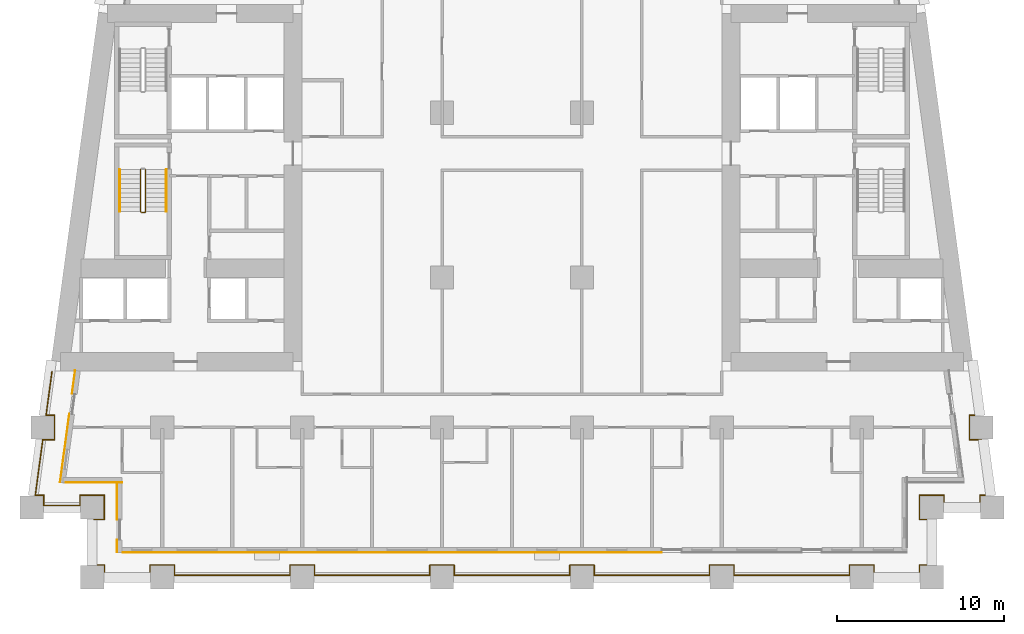
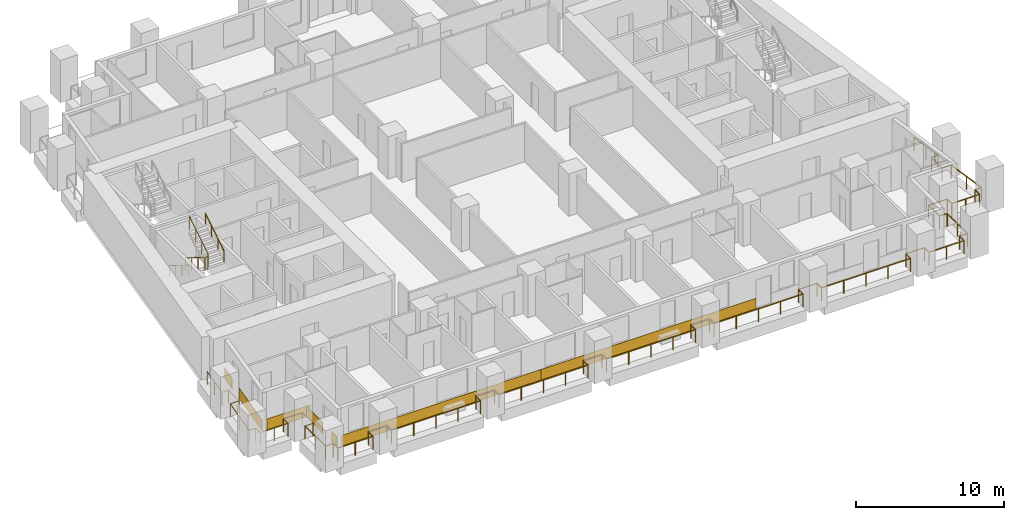
# One storey, part 8 of 12: 7 coverings, 5 railings.
"""IFC4 building model written with IfcOpenShell, lengths in metres."""

import ifcopenshell
import ifcopenshell.guid

model = None  # the IFC model being written
_history = None  # IfcOwnerHistory: only IFC2X3 demands one
_inside = {}  # id of a spatial element -> (the spatial element, [elements in it])
_under = {}  # id of a project, library or spatial element -> (it, [spatial elements below it])
_declared = {}  # id of a project -> (the project, [libraries it declares])
_typed = {}  # id of a type object -> (the type object, [elements of that type])
_made_of = {}  # id of a material, layer set ... -> (it, [elements and type objects made of it])


def new_model(schema):
    """Start an empty IFC model of exactly this schema.

    Asked for "IFC4X3", IfcOpenShell would pick the latest addendum, in which some entities
    have other attributes; the version numbers below select the first issue.
    IFC2X3 requires an IfcOwnerHistory on every rooted entity: one is made here for all.
    """
    global model, _history
    if schema == "IFC4X3":
        model = ifcopenshell.file(schema_version=(4, 3, 0, 0))
    else:
        model = ifcopenshell.file(schema=schema)
    _inside.clear()
    _under.clear()
    _declared.clear()
    _typed.clear()
    _made_of.clear()
    _history = None
    if model.schema == "IFC2X3":
        org = make("IfcOrganization", Name="unknown")
        user = make(
            "IfcPersonAndOrganization",
            ThePerson=make("IfcPerson", FamilyName="unknown"),
            TheOrganization=org,
        )
        app = make(
            "IfcApplication",
            ApplicationDeveloper=org,
            Version="unknown",
            ApplicationFullName="unknown",
            ApplicationIdentifier="unknown",
        )
        _history = make(
            "IfcOwnerHistory",
            OwningUser=user,
            OwningApplication=app,
            ChangeAction="ADDED",
            CreationDate=0,
        )
    return model


def make(cls, **values):
    """One entity of the class cls with the attributes given. An attribute that is None is left unset."""
    return model.create_entity(
        cls, **{name: value for name, value in values.items() if value is not None}
    )


def rooted(cls, **values):
    """An entity with a GlobalId (a new one), such as an element, a storey or a relation."""
    return make(cls, GlobalId=ifcopenshell.guid.new(), OwnerHistory=_history, **values)


def si_unit(unit_type, name, prefix=None):
    """IfcSIUnit, for example si_unit("LENGTHUNIT", "METRE", prefix="MILLI")."""
    return make("IfcSIUnit", UnitType=unit_type, Prefix=prefix, Name=name)


def assignment(units):
    """IfcUnitAssignment: the units of a project."""
    return None if units is None else make("IfcUnitAssignment", Units=units)


def point(xyz):
    """IfcCartesianPoint."""
    return None if xyz is None else make("IfcCartesianPoint", Coordinates=xyz)


def direction(xyz):
    """IfcDirection."""
    return None if xyz is None else make("IfcDirection", DirectionRatios=xyz)


def frame(location, z_axis=None, x_axis=None):
    """IfcAxis2Placement3D, a coordinate frame: its origin and axes. An axis left out is left unset."""
    return make(
        "IfcAxis2Placement3D",
        Location=point(location),
        Axis=direction(z_axis),
        RefDirection=direction(x_axis),
    )


def frame_2d(location, x_axis=None):
    """IfcAxis2Placement2D, a coordinate frame in the plane: its origin and x axis."""
    return make(
        "IfcAxis2Placement2D", Location=point(location), RefDirection=direction(x_axis)
    )


def origin():
    """The frame at (0, 0, 0) with its axes left unset."""
    return frame((0.0, 0.0, 0.0))


def origin_2d():
    """The frame at (0, 0) in the plane with its x axis left unset."""
    return frame_2d((0.0, 0.0))


def place(relative_to, where):
    """IfcLocalPlacement: puts the frame where relative to a parent placement (None: the world)."""
    return make(
        "IfcLocalPlacement", PlacementRelTo=relative_to, RelativePlacement=where
    )


def context(
    kind, dimensions, precision=None, world=None, true_north=None, identifier=None
):
    """IfcGeometricRepresentationContext, for example the 3D "Model" context."""
    return make(
        "IfcGeometricRepresentationContext",
        ContextIdentifier=identifier,
        ContextType=kind,
        CoordinateSpaceDimension=dimensions,
        Precision=precision,
        WorldCoordinateSystem=world,
        TrueNorth=true_north,
    )


def subcontext(parent, identifier, kind, view, scale=None):
    """IfcGeometricRepresentationSubContext, for example "Body" below "Model"."""
    return make(
        "IfcGeometricRepresentationSubContext",
        ContextIdentifier=identifier,
        ContextType=kind,
        ParentContext=parent,
        TargetScale=scale,
        TargetView=view,
    )


def project(units=None, contexts=None):
    """IfcProject with its units and contexts."""
    return rooted(
        "IfcProject",
        Name="project",
        RepresentationContexts=contexts,
        UnitsInContext=assignment(units),
    )


def spatial(cls, under=None, at=None, **own):
    """A site, building, storey or space (cls), placed at a placement, below another one or the project."""
    s = rooted(cls, ObjectPlacement=at, **own)
    if under is not None:
        _under.setdefault(under.id(), (under, []))[1].append(s)
    return s


def profile(cls, at=None, kind="AREA", **sizes):
    """A parametric profile (cls). Its sizes go by their IFC names, for example OverallWidth=200.0."""
    return make(cls, ProfileType=kind, Position=at, **sizes)


def rectangle(**sizes):
    """IfcRectangleProfileDef."""
    return profile("IfcRectangleProfileDef", **sizes)


def circle(**sizes):
    """IfcCircleProfileDef."""
    return profile("IfcCircleProfileDef", **sizes)


def extrude(swept, where, along, depth):
    """IfcExtrudedAreaSolid: the profile swept, set in the frame where, extruded along a direction by depth."""
    return make(
        "IfcExtrudedAreaSolid",
        SweptArea=swept,
        Position=where,
        ExtrudedDirection=direction(along),
        Depth=depth,
    )


def shape(context_of_items, identifier, shape_type, items):
    """IfcShapeRepresentation: the items that make up one representation, for example the "Body"."""
    return make(
        "IfcShapeRepresentation",
        ContextOfItems=context_of_items,
        RepresentationIdentifier=identifier,
        RepresentationType=shape_type,
        Items=items,
    )


def material(Name=None, Category=None):
    """IfcMaterial."""
    return make("IfcMaterial", Name=Name, Category=Category)


def layer(
    of_material, thickness, ventilated=None, Name=None, Category=None, Priority=None
):
    """IfcMaterialLayer: one layer of a wall or slab, of a material (None: an air gap)."""
    return make(
        "IfcMaterialLayer",
        Material=of_material,
        LayerThickness=thickness,
        IsVentilated=ventilated,
        Name=Name,
        Category=Category,
        Priority=Priority,
    )


def layer_set(layers, Name=None):
    """IfcMaterialLayerSet."""
    return make("IfcMaterialLayerSet", MaterialLayers=layers, LayerSetName=Name)


def made_of(thing, what):
    """Note that an element or type object is made of a material, layer set ...; save() writes the relation."""
    if what is not None:
        _made_of.setdefault(what.id(), (what, []))[1].append(thing)
    return thing


def type_object(cls, material=None, **own):
    """A type object (cls), such as IfcWallType, which elements share."""
    return made_of(rooted(cls, **own), material)


def element(
    cls,
    number,
    at=None,
    inside=None,
    cuts=None,
    type_object=None,
    material=None,
    context=None,
    identifier="Body",
    shape_type=None,
    held_by="IfcProductDefinitionShape",
    body=None,
    shapes=None,
    **own,
):
    """One element of the class cls, such as IfcWall. Its Tag is "e" and its number.

    at: its placement. inside: the storey or other place that contains it. cuts: it is an
    opening in that element (IfcRelVoidsElement). A single representation is given by context,
    identifier, shape_type and body (its items); several are given by shapes. held_by: the class
    of the entity that holds the representations. save() writes the other relations.
    """
    e = rooted(cls, Tag="e%d" % number, ObjectPlacement=at, **own)
    if body is not None:
        shapes = [shape(context, identifier, shape_type, body)]
    if shapes is not None:
        e.Representation = make(held_by, Representations=shapes)
    if inside is not None:
        _inside.setdefault(inside.id(), (inside, []))[1].append(e)
    if cuts is not None:
        rooted(
            "IfcRelVoidsElement", RelatingBuildingElement=cuts, RelatedOpeningElement=e
        )
    if type_object is not None:
        _typed.setdefault(type_object.id(), (type_object, []))[1].append(e)
    return made_of(e, material)


def aggregate(whole, parts):
    """IfcRelAggregates: a whole, such as a stair, and the parts it consists of."""
    return rooted("IfcRelAggregates", RelatingObject=whole, RelatedObjects=parts)


def save(model, path):
    """Write the relations noted so far, then the file.

    IfcRelAggregates (storeys below a building ...), IfcRelContainedInSpatialStructure (elements
    in a storey), IfcRelDefinesByType, IfcRelAssociatesMaterial and IfcRelDeclares: one each for
    every whole, place, type object, material and project.
    """
    for whole, parts in _under.values():
        aggregate(whole, parts)
    for where, things in _inside.values():
        rooted(
            "IfcRelContainedInSpatialStructure",
            RelatedElements=things,
            RelatingStructure=where,
        )
    for kind, things in _typed.values():
        rooted("IfcRelDefinesByType", RelatedObjects=things, RelatingType=kind)
    for what, things in _made_of.values():
        rooted("IfcRelAssociatesMaterial", RelatedObjects=things, RelatingMaterial=what)
    for by, libraries in _declared.values():
        rooted("IfcRelDeclares", RelatingContext=by, RelatedDefinitions=libraries)
    model.write(path)


model = new_model("IFC4")

# Units and contexts
model_context = context("Model", 3, precision=1e-05, world=origin(), true_north=direction((0.0, 1.0)))
body_context = subcontext(model_context, "Body", "Model", "MODEL_VIEW")
ifc_project = project(units=[si_unit("LENGTHUNIT", "METRE"), si_unit("AREAUNIT", "SQUARE_METRE"), si_unit("VOLUMEUNIT", "CUBIC_METRE"), si_unit("PLANEANGLEUNIT", "RADIAN"), si_unit("MASSUNIT", "GRAM", prefix="KILO")], contexts=[model_context])

# Site, building, storey
site_placement = place(None, origin())
site = spatial("IfcSite", under=ifc_project, at=site_placement, CompositionType="ELEMENT")
building_placement = place(site_placement, origin())
building = spatial("IfcBuilding", under=site, at=building_placement, Name="Candeia Pilgrim Tower and Theatre", CompositionType="ELEMENT")
storey_placement = place(building_placement, frame((0.0, 0.0, 49.5)))
storey = spatial("IfcBuildingStorey", under=building, at=storey_placement, Name="L09", CompositionType="ELEMENT", Elevation=49.5)

# Railings
ifc_material_1 = material(Name="Stainless steel balustrade", Category="steel")
railing_type_1 = type_object("IfcRailingType", Name="G1 loggia guard 1100", PredefinedType="GUARDRAIL", material=ifc_material_1)
railing_1_placement = place(storey_placement, frame((88.320068359375, 101.469970703125, 0.0)))
element("IfcRailing", 1, at=railing_1_placement, inside=storey, type_object=railing_type_1, Name="Guard L09.1", PredefinedType="GUARDRAIL", context=body_context, shape_type="SweptSolid", body=[
    extrude(circle(Radius=0.02392578125, at=origin_2d()), frame((0.0, 0.0, 1.076171875), z_axis=(1.0, 0.0, 0.0), x_axis=(0.0, 1.0, 0.0)), (0.0, 0.0, 1.0), 0.60986328125),
    extrude(circle(Radius=0.02392578125, at=origin_2d()), frame((0.60986328125, 0.0, 1.076171875), z_axis=(0.0, 1.0, 0.0), x_axis=(-1.0, 0.0, 0.0)), (0.0, 0.0, 1.0), 1.4599609375),
    extrude(circle(Radius=0.02392578125, at=origin_2d()), frame((0.60986328125, 1.4599609375, 1.076171875), z_axis=(-1.0, 0.0, 0.0), x_axis=(0.0, -1.0, 0.0)), (0.0, 0.0, 1.0), 1.4599609375),
    extrude(circle(Radius=0.02392578125, at=origin_2d()), frame((-0.85009765625, 1.4599609375, 1.076171875), z_axis=(0.0, -1.0, 0.0), x_axis=(1.0, 0.0, 0.0)), (0.0, 0.0, 1.0), 0.60986328125),
    extrude(circle(Radius=0.02392578125, at=origin_2d()), frame((-0.85009765625, 0.85009765625, 1.076171875), z_axis=(-1.0, 0.0, 0.0), x_axis=(0.0, -1.0, 0.0)), (0.0, 0.0, 1.0), 2.174560546875),
    extrude(circle(Radius=0.02392578125, at=origin_2d()), frame((-3.024658203125, 0.85009765625, 1.076171875), z_axis=(0.0, 1.0, 0.0), x_axis=(-1.0, 0.0, 0.0)), (0.0, 0.0, 1.0), 0.60986328125),
    extrude(circle(Radius=0.02392578125, at=origin_2d()), frame((-3.024658203125, 1.4599609375, 1.076171875), z_axis=(-1.0, 0.0, 0.0), x_axis=(0.0, -1.0, 0.0)), (0.0, 0.0, 1.0), 0.5107421875),
    extrude(circle(Radius=0.02392578125, at=origin_2d()), frame((-3.535400390625, 1.4599609375, 1.076171875), z_axis=(0.133435273035, 0.991057530071, 0.0), x_axis=(-0.991057530071, 0.133435273035, 0.0)), (0.0, 0.0, 1.0), 3.3701171875),
    extrude(circle(Radius=0.02392578125, at=origin_2d()), frame((-3.085693359375, 4.800048828125, 1.076171875), z_axis=(1.0, 0.0, 0.0), x_axis=(0.0, 1.0, 0.0)), (0.0, 0.0, 1.0), 0.707275390625),
    extrude(circle(Radius=0.02392578125, at=origin_2d()), frame((-2.37841796875, 4.800048828125, 1.076171875), z_axis=(0.0, 1.0, 0.0), x_axis=(-1.0, 0.0, 0.0)), (0.0, 0.0, 1.0), 1.4599609375),
    extrude(circle(Radius=0.02392578125, at=origin_2d()), frame((-2.37841796875, 6.260009765625, 1.076171875), z_axis=(-1.0, 0.0, 0.0), x_axis=(0.0, -1.0, 0.0)), (0.0, 0.0, 1.0), 0.5107421875),
    extrude(circle(Radius=0.02392578125, at=origin_2d()), frame((-2.88916015625, 6.260009765625, 1.076171875), z_axis=(0.133439920495, 0.991056904329, 0.0), x_axis=(-0.991056904329, 0.133439920495, 0.0)), (0.0, 0.0, 1.0), 2.643798828125),
    extrude(circle(Radius=0.02099609375, at=origin_2d()), origin(), (0.0, 0.0, 1.0), 1.052001953125),
    extrude(circle(Radius=0.02099609375, at=origin_2d()), frame((0.60986328125, 0.0, 0.0)), (0.0, 0.0, 1.0), 1.052001953125),
    extrude(circle(Radius=0.02099609375, at=origin_2d()), frame((0.60986328125, 1.4599609375, 0.0)), (0.0, 0.0, 1.0), 1.052001953125),
    extrude(circle(Radius=0.02099609375, at=origin_2d()), frame((-0.85009765625, 1.4599609375, 0.0)), (0.0, 0.0, 1.0), 1.052001953125),
    extrude(circle(Radius=0.02099609375, at=origin_2d()), frame((-0.85009765625, 0.85009765625, 0.0)), (0.0, 0.0, 1.0), 1.052001953125),
    extrude(circle(Radius=0.02099609375, at=origin_2d()), frame((-1.9375, 0.85009765625, 0.0)), (0.0, 0.0, 1.0), 1.052001953125),
    extrude(circle(Radius=0.02099609375, at=origin_2d()), frame((-3.024658203125, 0.85009765625, 0.0)), (0.0, 0.0, 1.0), 1.052001953125),
    extrude(circle(Radius=0.02099609375, at=origin_2d()), frame((-3.024658203125, 1.4599609375, 0.0)), (0.0, 0.0, 1.0), 1.052001953125),
    extrude(circle(Radius=0.02099609375, at=origin_2d()), frame((-3.535400390625, 1.4599609375, 0.0)), (0.0, 0.0, 1.0), 1.052001953125),
    extrude(circle(Radius=0.02099609375, at=origin_2d()), frame((-3.310546875, 3.1298828125, 0.0)), (0.0, 0.0, 1.0), 1.052001953125),
    extrude(circle(Radius=0.02099609375, at=origin_2d()), frame((-3.085693359375, 4.800048828125, 0.0)), (0.0, 0.0, 1.0), 1.052001953125),
    extrude(circle(Radius=0.02099609375, at=origin_2d()), frame((-2.37841796875, 4.800048828125, 0.0)), (0.0, 0.0, 1.0), 1.052001953125),
    extrude(circle(Radius=0.02099609375, at=origin_2d()), frame((-2.37841796875, 6.260009765625, 0.0)), (0.0, 0.0, 1.0), 1.052001953125),
    extrude(circle(Radius=0.02099609375, at=origin_2d()), frame((-2.88916015625, 6.260009765625, 0.0)), (0.0, 0.0, 1.0), 1.052001953125),
    extrude(circle(Radius=0.02099609375, at=origin_2d()), frame((-2.712890625, 7.570068359375, 0.0)), (0.0, 0.0, 1.0), 1.052001953125),
    extrude(circle(Radius=0.02099609375, at=origin_2d()), frame((-2.536376953125, 8.880126953125, 0.0)), (0.0, 0.0, 1.0), 1.052001953125),
])
railing_2_placement = place(storey_placement, frame((141.016357421875, 110.35009765625, 0.0)))
element("IfcRailing", 2, at=railing_2_placement, inside=storey, type_object=railing_type_1, Name="Guard L09.4", PredefinedType="GUARDRAIL", context=body_context, shape_type="SweptSolid", body=[
    extrude(circle(Radius=0.02392578125, at=origin_2d()), frame((0.0, 0.0, 1.076171875), z_axis=(0.133439920495, -0.991056904329, 0.0), x_axis=(0.991056904329, 0.133439920495, 0.0)), (0.0, 0.0, 1.0), 2.643798828125),
    extrude(circle(Radius=0.02392578125, at=origin_2d()), frame((0.352783203125, -2.6201171875, 1.076171875), z_axis=(-1.0, 0.0, 0.0), x_axis=(0.0, -1.0, 0.0)), (0.0, 0.0, 1.0), 0.5107421875),
    extrude(circle(Radius=0.02392578125, at=origin_2d()), frame((-0.157958984375, -2.6201171875, 1.076171875), z_axis=(0.0, -1.0, 0.0), x_axis=(1.0, 0.0, 0.0)), (0.0, 0.0, 1.0), 1.4599609375),
    extrude(circle(Radius=0.02392578125, at=origin_2d()), frame((-0.157958984375, -4.080078125, 1.076171875), z_axis=(1.0, 0.0, 0.0), x_axis=(0.0, 1.0, 0.0)), (0.0, 0.0, 1.0), 0.707275390625),
    extrude(circle(Radius=0.02392578125, at=origin_2d()), frame((0.54931640625, -4.080078125, 1.076171875), z_axis=(0.133435273035, -0.991057530071, 0.0), x_axis=(0.991057530071, 0.133435273035, 0.0)), (0.0, 0.0, 1.0), 3.3701171875),
    extrude(circle(Radius=0.02392578125, at=origin_2d()), frame((0.9990234375, -7.420166015625, 1.076171875), z_axis=(-1.0, 0.0, 0.0), x_axis=(0.0, -1.0, 0.0)), (0.0, 0.0, 1.0), 0.5107421875),
    extrude(circle(Radius=0.02392578125, at=origin_2d()), frame((0.48828125, -7.420166015625, 1.076171875), z_axis=(0.0, -1.0, 0.0), x_axis=(1.0, 0.0, 0.0)), (0.0, 0.0, 1.0), 0.60986328125),
    extrude(circle(Radius=0.02392578125, at=origin_2d()), frame((0.48828125, -8.030029296875, 1.076171875), z_axis=(-1.0, 0.0, 0.0), x_axis=(0.0, -1.0, 0.0)), (0.0, 0.0, 1.0), 2.174560546875),
    extrude(circle(Radius=0.02392578125, at=origin_2d()), frame((-1.686279296875, -8.030029296875, 1.076171875), z_axis=(0.0, 1.0, 0.0), x_axis=(-1.0, 0.0, 0.0)), (0.0, 0.0, 1.0), 0.60986328125),
    extrude(circle(Radius=0.02392578125, at=origin_2d()), frame((-1.686279296875, -7.420166015625, 1.076171875), z_axis=(-1.0, 0.0, 0.0), x_axis=(0.0, -1.0, 0.0)), (0.0, 0.0, 1.0), 1.4599609375),
    extrude(circle(Radius=0.02392578125, at=origin_2d()), frame((-3.146240234375, -7.420166015625, 1.076171875), z_axis=(0.0, -1.0, 0.0), x_axis=(1.0, 0.0, 0.0)), (0.0, 0.0, 1.0), 1.4599609375),
    extrude(circle(Radius=0.02392578125, at=origin_2d()), frame((-3.146240234375, -8.880126953125, 1.076171875), z_axis=(1.0, 0.0, 0.0), x_axis=(0.0, 1.0, 0.0)), (0.0, 0.0, 1.0), 0.60986328125),
    extrude(circle(Radius=0.02392578125, at=origin_2d()), frame((-2.536376953125, -8.880126953125, 1.076171875), z_axis=(0.0, -1.0, 0.0), x_axis=(1.0, 0.0, 0.0)), (0.0, 0.0, 1.0), 2.739990234375),
    extrude(circle(Radius=0.02392578125, at=origin_2d()), frame((-2.536376953125, -11.6201171875, 1.076171875), z_axis=(-1.0, 0.0, 0.0), x_axis=(0.0, -1.0, 0.0)), (0.0, 0.0, 1.0), 0.60986328125),
    extrude(circle(Radius=0.02392578125, at=origin_2d()), frame((-3.146240234375, -11.6201171875, 1.076171875), z_axis=(0.0, -1.0, 0.0), x_axis=(1.0, 0.0, 0.0)), (0.0, 0.0, 1.0), 0.60986328125),
    extrude(circle(Radius=0.02392578125, at=origin_2d()), frame((-3.146240234375, -12.22998046875, 1.076171875), z_axis=(-1.0, 0.0, 0.0), x_axis=(0.0, -1.0, 0.0)), (0.0, 0.0, 1.0), 2.740234375),
    extrude(circle(Radius=0.02392578125, at=origin_2d()), frame((-5.886474609375, -12.22998046875, 1.076171875), z_axis=(0.0, 1.0, 0.0), x_axis=(-1.0, 0.0, 0.0)), (0.0, 0.0, 1.0), 0.60986328125),
    extrude(circle(Radius=0.02392578125, at=origin_2d()), frame((-5.886474609375, -11.6201171875, 1.076171875), z_axis=(-1.0, 0.0, 0.0), x_axis=(0.0, -1.0, 0.0)), (0.0, 0.0, 1.0), 1.4599609375),
    extrude(circle(Radius=0.02392578125, at=origin_2d()), frame((-7.346435546875, -11.6201171875, 1.076171875), z_axis=(0.0, -1.0, 0.0), x_axis=(1.0, 0.0, 0.0)), (0.0, 0.0, 1.0), 0.60986328125),
    extrude(circle(Radius=0.02392578125, at=origin_2d()), frame((-7.346435546875, -12.22998046875, 1.076171875), z_axis=(-1.0, 0.0, 0.0), x_axis=(0.0, -1.0, 0.0)), (0.0, 0.0, 1.0), 6.93994140625),
    extrude(circle(Radius=0.02392578125, at=origin_2d()), frame((-14.286376953125, -12.22998046875, 1.076171875), z_axis=(0.0, 1.0, 0.0), x_axis=(-1.0, 0.0, 0.0)), (0.0, 0.0, 1.0), 0.60986328125),
    extrude(circle(Radius=0.02392578125, at=origin_2d()), frame((-14.286376953125, -11.6201171875, 1.076171875), z_axis=(-1.0, 0.0, 0.0), x_axis=(0.0, -1.0, 0.0)), (0.0, 0.0, 1.0), 1.4599609375),
    extrude(circle(Radius=0.02392578125, at=origin_2d()), frame((-15.746337890625, -11.6201171875, 1.076171875), z_axis=(0.0, -1.0, 0.0), x_axis=(1.0, 0.0, 0.0)), (0.0, 0.0, 1.0), 0.60986328125),
    extrude(circle(Radius=0.02392578125, at=origin_2d()), frame((-15.746337890625, -12.22998046875, 1.076171875), z_axis=(-1.0, 0.0, 0.0), x_axis=(0.0, -1.0, 0.0)), (0.0, 0.0, 1.0), 6.93994140625),
    extrude(circle(Radius=0.02392578125, at=origin_2d()), frame((-22.686279296875, -12.22998046875, 1.076171875), z_axis=(0.0, 1.0, 0.0), x_axis=(-1.0, 0.0, 0.0)), (0.0, 0.0, 1.0), 0.60986328125),
    extrude(circle(Radius=0.02392578125, at=origin_2d()), frame((-22.686279296875, -11.6201171875, 1.076171875), z_axis=(-1.0, 0.0, 0.0), x_axis=(0.0, -1.0, 0.0)), (0.0, 0.0, 1.0), 1.4599609375),
    extrude(circle(Radius=0.02392578125, at=origin_2d()), frame((-24.146240234375, -11.6201171875, 1.076171875), z_axis=(0.0, -1.0, 0.0), x_axis=(1.0, 0.0, 0.0)), (0.0, 0.0, 1.0), 0.60986328125),
    extrude(circle(Radius=0.02392578125, at=origin_2d()), frame((-24.146240234375, -12.22998046875, 1.076171875), z_axis=(-1.0, 0.0, 0.0), x_axis=(0.0, -1.0, 0.0)), (0.0, 0.0, 1.0), 6.940185546875),
    extrude(circle(Radius=0.02392578125, at=origin_2d()), frame((-31.08642578125, -12.22998046875, 1.076171875), z_axis=(0.0, 1.0, 0.0), x_axis=(-1.0, 0.0, 0.0)), (0.0, 0.0, 1.0), 0.60986328125),
    extrude(circle(Radius=0.02392578125, at=origin_2d()), frame((-31.08642578125, -11.6201171875, 1.076171875), z_axis=(-1.0, 0.0, 0.0), x_axis=(0.0, -1.0, 0.0)), (0.0, 0.0, 1.0), 1.4599609375),
    extrude(circle(Radius=0.02392578125, at=origin_2d()), frame((-32.54638671875, -11.6201171875, 1.076171875), z_axis=(0.0, -1.0, 0.0), x_axis=(1.0, 0.0, 0.0)), (0.0, 0.0, 1.0), 0.60986328125),
    extrude(circle(Radius=0.02392578125, at=origin_2d()), frame((-32.54638671875, -12.22998046875, 1.076171875), z_axis=(-1.0, 0.0, 0.0), x_axis=(0.0, -1.0, 0.0)), (0.0, 0.0, 1.0), 6.93994140625),
    extrude(circle(Radius=0.02392578125, at=origin_2d()), frame((-39.486328125, -12.22998046875, 1.076171875), z_axis=(0.0, 1.0, 0.0), x_axis=(-1.0, 0.0, 0.0)), (0.0, 0.0, 1.0), 0.60986328125),
    extrude(circle(Radius=0.02392578125, at=origin_2d()), frame((-39.486328125, -11.6201171875, 1.076171875), z_axis=(-1.0, 0.0, 0.0), x_axis=(0.0, -1.0, 0.0)), (0.0, 0.0, 1.0), 1.4599609375),
    extrude(circle(Radius=0.02392578125, at=origin_2d()), frame((-40.9462890625, -11.6201171875, 1.076171875), z_axis=(0.0, -1.0, 0.0), x_axis=(1.0, 0.0, 0.0)), (0.0, 0.0, 1.0), 0.60986328125),
    extrude(circle(Radius=0.02392578125, at=origin_2d()), frame((-40.9462890625, -12.22998046875, 1.076171875), z_axis=(-1.0, 0.0, 0.0), x_axis=(0.0, -1.0, 0.0)), (0.0, 0.0, 1.0), 6.940185546875),
    extrude(circle(Radius=0.02392578125, at=origin_2d()), frame((-47.886474609375, -12.22998046875, 1.076171875), z_axis=(0.0, 1.0, 0.0), x_axis=(-1.0, 0.0, 0.0)), (0.0, 0.0, 1.0), 0.60986328125),
    extrude(circle(Radius=0.02392578125, at=origin_2d()), frame((-47.886474609375, -11.6201171875, 1.076171875), z_axis=(-1.0, 0.0, 0.0), x_axis=(0.0, -1.0, 0.0)), (0.0, 0.0, 1.0), 1.4599609375),
    extrude(circle(Radius=0.02392578125, at=origin_2d()), frame((-49.346435546875, -11.6201171875, 1.076171875), z_axis=(0.0, -1.0, 0.0), x_axis=(1.0, 0.0, 0.0)), (0.0, 0.0, 1.0), 0.60986328125),
    extrude(circle(Radius=0.02392578125, at=origin_2d()), frame((-49.346435546875, -12.22998046875, 1.076171875), z_axis=(-1.0, 0.0, 0.0), x_axis=(0.0, -1.0, 0.0)), (0.0, 0.0, 1.0), 2.739990234375),
    extrude(circle(Radius=0.02392578125, at=origin_2d()), frame((-52.08642578125, -12.22998046875, 1.076171875), z_axis=(0.0, 1.0, 0.0), x_axis=(-1.0, 0.0, 0.0)), (0.0, 0.0, 1.0), 0.60986328125),
    extrude(circle(Radius=0.02392578125, at=origin_2d()), frame((-52.08642578125, -11.6201171875, 1.076171875), z_axis=(-1.0, 0.0, 0.0), x_axis=(0.0, -1.0, 0.0)), (0.0, 0.0, 1.0), 0.60986328125),
    extrude(circle(Radius=0.02392578125, at=origin_2d()), frame((-52.6962890625, -11.6201171875, 1.076171875), z_axis=(0.0, 1.0, 0.0), x_axis=(-1.0, 0.0, 0.0)), (0.0, 0.0, 1.0), 2.739990234375),
    extrude(circle(Radius=0.02099609375, at=origin_2d()), origin(), (0.0, 0.0, 1.0), 1.052001953125),
    extrude(circle(Radius=0.02099609375, at=origin_2d()), frame((0.17626953125, -1.31005859375, 0.0)), (0.0, 0.0, 1.0), 1.052001953125),
    extrude(circle(Radius=0.02099609375, at=origin_2d()), frame((0.352783203125, -2.6201171875, 0.0)), (0.0, 0.0, 1.0), 1.052001953125),
    extrude(circle(Radius=0.02099609375, at=origin_2d()), frame((-0.157958984375, -2.6201171875, 0.0)), (0.0, 0.0, 1.0), 1.052001953125),
    extrude(circle(Radius=0.02099609375, at=origin_2d()), frame((-0.157958984375, -4.080078125, 0.0)), (0.0, 0.0, 1.0), 1.052001953125),
    extrude(circle(Radius=0.02099609375, at=origin_2d()), frame((0.54931640625, -4.080078125, 0.0)), (0.0, 0.0, 1.0), 1.052001953125),
    extrude(circle(Radius=0.02099609375, at=origin_2d()), frame((0.774169921875, -5.75, 0.0)), (0.0, 0.0, 1.0), 1.052001953125),
    extrude(circle(Radius=0.02099609375, at=origin_2d()), frame((0.9990234375, -7.420166015625, 0.0)), (0.0, 0.0, 1.0), 1.052001953125),
    extrude(circle(Radius=0.02099609375, at=origin_2d()), frame((0.48828125, -7.420166015625, 0.0)), (0.0, 0.0, 1.0), 1.052001953125),
    extrude(circle(Radius=0.02099609375, at=origin_2d()), frame((0.48828125, -8.030029296875, 0.0)), (0.0, 0.0, 1.0), 1.052001953125),
    extrude(circle(Radius=0.02099609375, at=origin_2d()), frame((-0.59912109375, -8.030029296875, 0.0)), (0.0, 0.0, 1.0), 1.052001953125),
    extrude(circle(Radius=0.02099609375, at=origin_2d()), frame((-1.686279296875, -8.030029296875, 0.0)), (0.0, 0.0, 1.0), 1.052001953125),
    extrude(circle(Radius=0.02099609375, at=origin_2d()), frame((-1.686279296875, -7.420166015625, 0.0)), (0.0, 0.0, 1.0), 1.052001953125),
    extrude(circle(Radius=0.02099609375, at=origin_2d()), frame((-3.146240234375, -7.420166015625, 0.0)), (0.0, 0.0, 1.0), 1.052001953125),
    extrude(circle(Radius=0.02099609375, at=origin_2d()), frame((-3.146240234375, -8.880126953125, 0.0)), (0.0, 0.0, 1.0), 1.052001953125),
    extrude(circle(Radius=0.02099609375, at=origin_2d()), frame((-2.536376953125, -8.880126953125, 0.0)), (0.0, 0.0, 1.0), 1.052001953125),
    extrude(circle(Radius=0.02099609375, at=origin_2d()), frame((-2.536376953125, -10.25, 0.0)), (0.0, 0.0, 1.0), 1.052001953125),
    extrude(circle(Radius=0.02099609375, at=origin_2d()), frame((-2.536376953125, -11.6201171875, 0.0)), (0.0, 0.0, 1.0), 1.052001953125),
    extrude(circle(Radius=0.02099609375, at=origin_2d()), frame((-3.146240234375, -11.6201171875, 0.0)), (0.0, 0.0, 1.0), 1.052001953125),
    extrude(circle(Radius=0.02099609375, at=origin_2d()), frame((-3.146240234375, -12.22998046875, 0.0)), (0.0, 0.0, 1.0), 1.052001953125),
    extrude(circle(Radius=0.02099609375, at=origin_2d()), frame((-4.516357421875, -12.22998046875, 0.0)), (0.0, 0.0, 1.0), 1.052001953125),
    extrude(circle(Radius=0.02099609375, at=origin_2d()), frame((-5.886474609375, -12.22998046875, 0.0)), (0.0, 0.0, 1.0), 1.052001953125),
    extrude(circle(Radius=0.02099609375, at=origin_2d()), frame((-5.886474609375, -11.6201171875, 0.0)), (0.0, 0.0, 1.0), 1.052001953125),
    extrude(circle(Radius=0.02099609375, at=origin_2d()), frame((-7.346435546875, -11.6201171875, 0.0)), (0.0, 0.0, 1.0), 1.052001953125),
    extrude(circle(Radius=0.02099609375, at=origin_2d()), frame((-7.346435546875, -12.22998046875, 0.0)), (0.0, 0.0, 1.0), 1.052001953125),
    extrude(circle(Radius=0.02099609375, at=origin_2d()), frame((-9.08154296875, -12.22998046875, 0.0)), (0.0, 0.0, 1.0), 1.052001953125),
    extrude(circle(Radius=0.02099609375, at=origin_2d()), frame((-10.81640625, -12.22998046875, 0.0)), (0.0, 0.0, 1.0), 1.052001953125),
    extrude(circle(Radius=0.02099609375, at=origin_2d()), frame((-12.55126953125, -12.22998046875, 0.0)), (0.0, 0.0, 1.0), 1.052001953125),
    extrude(circle(Radius=0.02099609375, at=origin_2d()), frame((-14.286376953125, -12.22998046875, 0.0)), (0.0, 0.0, 1.0), 1.052001953125),
    extrude(circle(Radius=0.02099609375, at=origin_2d()), frame((-14.286376953125, -11.6201171875, 0.0)), (0.0, 0.0, 1.0), 1.052001953125),
    extrude(circle(Radius=0.02099609375, at=origin_2d()), frame((-15.746337890625, -11.6201171875, 0.0)), (0.0, 0.0, 1.0), 1.052001953125),
    extrude(circle(Radius=0.02099609375, at=origin_2d()), frame((-15.746337890625, -12.22998046875, 0.0)), (0.0, 0.0, 1.0), 1.052001953125),
    extrude(circle(Radius=0.02099609375, at=origin_2d()), frame((-17.4814453125, -12.22998046875, 0.0)), (0.0, 0.0, 1.0), 1.052001953125),
    extrude(circle(Radius=0.02099609375, at=origin_2d()), frame((-19.21630859375, -12.22998046875, 0.0)), (0.0, 0.0, 1.0), 1.052001953125),
    extrude(circle(Radius=0.02099609375, at=origin_2d()), frame((-20.951171875, -12.22998046875, 0.0)), (0.0, 0.0, 1.0), 1.052001953125),
    extrude(circle(Radius=0.02099609375, at=origin_2d()), frame((-22.686279296875, -12.22998046875, 0.0)), (0.0, 0.0, 1.0), 1.052001953125),
    extrude(circle(Radius=0.02099609375, at=origin_2d()), frame((-22.686279296875, -11.6201171875, 0.0)), (0.0, 0.0, 1.0), 1.052001953125),
    extrude(circle(Radius=0.02099609375, at=origin_2d()), frame((-24.146240234375, -11.6201171875, 0.0)), (0.0, 0.0, 1.0), 1.052001953125),
    extrude(circle(Radius=0.02099609375, at=origin_2d()), frame((-24.146240234375, -12.22998046875, 0.0)), (0.0, 0.0, 1.0), 1.052001953125),
    extrude(circle(Radius=0.02099609375, at=origin_2d()), frame((-25.88134765625, -12.22998046875, 0.0)), (0.0, 0.0, 1.0), 1.052001953125),
    extrude(circle(Radius=0.02099609375, at=origin_2d()), frame((-27.6162109375, -12.22998046875, 0.0)), (0.0, 0.0, 1.0), 1.052001953125),
    extrude(circle(Radius=0.02099609375, at=origin_2d()), frame((-29.351318359375, -12.22998046875, 0.0)), (0.0, 0.0, 1.0), 1.052001953125),
    extrude(circle(Radius=0.02099609375, at=origin_2d()), frame((-31.08642578125, -12.22998046875, 0.0)), (0.0, 0.0, 1.0), 1.052001953125),
    extrude(circle(Radius=0.02099609375, at=origin_2d()), frame((-31.08642578125, -11.6201171875, 0.0)), (0.0, 0.0, 1.0), 1.052001953125),
    extrude(circle(Radius=0.02099609375, at=origin_2d()), frame((-32.54638671875, -11.6201171875, 0.0)), (0.0, 0.0, 1.0), 1.052001953125),
    extrude(circle(Radius=0.02099609375, at=origin_2d()), frame((-32.54638671875, -12.22998046875, 0.0)), (0.0, 0.0, 1.0), 1.052001953125),
    extrude(circle(Radius=0.02099609375, at=origin_2d()), frame((-34.28125, -12.22998046875, 0.0)), (0.0, 0.0, 1.0), 1.052001953125),
    extrude(circle(Radius=0.02099609375, at=origin_2d()), frame((-36.016357421875, -12.22998046875, 0.0)), (0.0, 0.0, 1.0), 1.052001953125),
    extrude(circle(Radius=0.02099609375, at=origin_2d()), frame((-37.75146484375, -12.22998046875, 0.0)), (0.0, 0.0, 1.0), 1.052001953125),
    extrude(circle(Radius=0.02099609375, at=origin_2d()), frame((-39.486328125, -12.22998046875, 0.0)), (0.0, 0.0, 1.0), 1.052001953125),
    extrude(circle(Radius=0.02099609375, at=origin_2d()), frame((-39.486328125, -11.6201171875, 0.0)), (0.0, 0.0, 1.0), 1.052001953125),
    extrude(circle(Radius=0.02099609375, at=origin_2d()), frame((-40.9462890625, -11.6201171875, 0.0)), (0.0, 0.0, 1.0), 1.052001953125),
    extrude(circle(Radius=0.02099609375, at=origin_2d()), frame((-40.9462890625, -12.22998046875, 0.0)), (0.0, 0.0, 1.0), 1.052001953125),
    extrude(circle(Radius=0.02099609375, at=origin_2d()), frame((-42.681396484375, -12.22998046875, 0.0)), (0.0, 0.0, 1.0), 1.052001953125),
    extrude(circle(Radius=0.02099609375, at=origin_2d()), frame((-44.41650390625, -12.22998046875, 0.0)), (0.0, 0.0, 1.0), 1.052001953125),
    extrude(circle(Radius=0.02099609375, at=origin_2d()), frame((-46.1513671875, -12.22998046875, 0.0)), (0.0, 0.0, 1.0), 1.052001953125),
    extrude(circle(Radius=0.02099609375, at=origin_2d()), frame((-47.886474609375, -12.22998046875, 0.0)), (0.0, 0.0, 1.0), 1.052001953125),
    extrude(circle(Radius=0.02099609375, at=origin_2d()), frame((-47.886474609375, -11.6201171875, 0.0)), (0.0, 0.0, 1.0), 1.052001953125),
    extrude(circle(Radius=0.02099609375, at=origin_2d()), frame((-49.346435546875, -11.6201171875, 0.0)), (0.0, 0.0, 1.0), 1.052001953125),
    extrude(circle(Radius=0.02099609375, at=origin_2d()), frame((-49.346435546875, -12.22998046875, 0.0)), (0.0, 0.0, 1.0), 1.052001953125),
    extrude(circle(Radius=0.02099609375, at=origin_2d()), frame((-50.71630859375, -12.22998046875, 0.0)), (0.0, 0.0, 1.0), 1.052001953125),
    extrude(circle(Radius=0.02099609375, at=origin_2d()), frame((-52.08642578125, -12.22998046875, 0.0)), (0.0, 0.0, 1.0), 1.052001953125),
    extrude(circle(Radius=0.02099609375, at=origin_2d()), frame((-52.08642578125, -11.6201171875, 0.0)), (0.0, 0.0, 1.0), 1.052001953125),
    extrude(circle(Radius=0.02099609375, at=origin_2d()), frame((-52.6962890625, -11.6201171875, 0.0)), (0.0, 0.0, 1.0), 1.052001953125),
    extrude(circle(Radius=0.02099609375, at=origin_2d()), frame((-52.6962890625, -10.25, 0.0)), (0.0, 0.0, 1.0), 1.052001953125),
    extrude(circle(Radius=0.02099609375, at=origin_2d()), frame((-52.6962890625, -8.880126953125, 0.0)), (0.0, 0.0, 1.0), 1.052001953125),
])

# Coverings
ifc_material_2 = material(Name="Glazed ceramic tile deep red")
ifc_layer_1 = layer(ifc_material_2, 0.02001953125)
ifc_layer_set_1 = layer_set([ifc_layer_1], Name="Glazed ceramic tile deep red")
covering_type_1 = type_object("IfcCoveringType", Name="Glazed ceramic tile deep red", PredefinedType="CLADDING", material=ifc_layer_set_1)
covering_1_placement = place(storey_placement, frame((97.81005859375, 99.489990234375, 0.0), z_axis=(0.0, 0.0, 1.0), x_axis=(1.0, 0.0, 0.0)))
element("IfcCovering", 3, at=covering_1_placement, inside=storey, type_object=covering_type_1, Name="Tile cladding deep red L09", PredefinedType="CLADDING", context=body_context, shape_type="SweptSolid", body=[
    extrude(rectangle(XDim=15.580078125, YDim=0.02001953125, at=origin_2d()), origin(), (0.0, 0.0, 1.0), 0.89990234375),
])
covering_2_placement = place(storey_placement, frame((87.0810546875, 109.71875, 0.0), z_axis=(0.0, 0.0, 1.0), x_axis=(-0.133412012145, -0.991060661622, 0.0)))
element("IfcCovering", 4, at=covering_2_placement, inside=storey, type_object=covering_type_1, Name="Tile cladding deep red L09", PredefinedType="CLADDING", context=body_context, shape_type="SweptSolid", body=[
    extrude(rectangle(XDim=1.41796875, YDim=0.02001953125, at=origin_2d()), origin(), (0.0, 0.0, 1.0), 0.89990234375),
])
covering_3_placement = place(storey_placement, frame((86.548583984375, 105.763916015625, 0.0), z_axis=(0.0, 0.0, 1.0), x_axis=(-0.133412012145, -0.991060661622, 0.0)))
element("IfcCovering", 5, at=covering_3_placement, inside=storey, type_object=covering_type_1, Name="Tile cladding deep red L09", PredefinedType="CLADDING", context=body_context, shape_type="SweptSolid", body=[
    extrude(rectangle(XDim=4.16259765625, YDim=0.02001953125, at=origin_2d()), origin(), (0.0, 0.0, 1.0), 0.89990234375),
])
covering_4_placement = place(storey_placement, frame((88.311279296875, 103.68994140625, 0.0), z_axis=(0.0, 0.0, 1.0), x_axis=(1.0, 0.0, 0.0)))
element("IfcCovering", 6, at=covering_4_placement, inside=storey, type_object=covering_type_1, Name="Tile cladding deep red L09", PredefinedType="CLADDING", context=body_context, shape_type="SweptSolid", body=[
    extrude(rectangle(XDim=3.377685546875, YDim=0.02001953125, at=origin_2d()), origin(), (0.0, 0.0, 1.0), 0.89990234375),
])
covering_5_placement = place(storey_placement, frame((89.68994140625, 102.56494140625, 0.0), z_axis=(0.0, 0.0, 1.0), x_axis=(0.0, -1.0, 0.0)))
element("IfcCovering", 7, at=covering_5_placement, inside=storey, type_object=covering_type_1, Name="Tile cladding deep red L09", PredefinedType="CLADDING", context=body_context, shape_type="SweptSolid", body=[
    extrude(rectangle(XDim=2.22998046875, YDim=0.02001953125, at=origin_2d()), origin(), (0.0, 0.0, 1.0), 0.89990234375),
])
covering_6_placement = place(storey_placement, frame((89.68994140625, 99.875, 0.0), z_axis=(0.0, 0.0, 1.0), x_axis=(0.0, -1.0, 0.0)))
element("IfcCovering", 8, at=covering_6_placement, inside=storey, type_object=covering_type_1, Name="Tile cladding deep red L09", PredefinedType="CLADDING", context=body_context, shape_type="SweptSolid", body=[
    extrude(rectangle(XDim=0.75, YDim=0.02001953125, at=origin_2d()), origin(), (0.0, 0.0, 1.0), 0.89990234375),
])
ifc_material_3 = material(Name="Glazed ceramic tile red")
ifc_layer_2 = layer(ifc_material_3, 0.02001953125)
ifc_layer_set_2 = layer_set([ifc_layer_2], Name="Glazed ceramic tile red")
covering_type_2 = type_object("IfcCoveringType", Name="Glazed ceramic tile red", PredefinedType="CLADDING", material=ifc_layer_set_2)
covering_7_placement = place(storey_placement, frame((114.0, 99.489990234375, 0.0), z_axis=(0.0, 0.0, 1.0), x_axis=(1.0, 0.0, 0.0)))
element("IfcCovering", 9, at=covering_7_placement, inside=storey, type_object=covering_type_2, Name="Tile cladding red L09", PredefinedType="CLADDING", context=body_context, shape_type="SweptSolid", body=[
    extrude(rectangle(XDim=16.800048828125, YDim=0.02001953125, at=origin_2d()), origin(), (0.0, 0.0, 1.0), 0.89990234375),
])

# Railings
railing_type_2 = type_object("IfcRailingType", Name="RL-GUARD-1100", PredefinedType="GUARDRAIL", material=ifc_material_1)
railing_3_placement = place(storey_placement, frame((91.10205078125, 122.47509765625, 0.175048828125)))
element("IfcRailing", 10, at=railing_3_placement, inside=storey, type_object=railing_type_2, Name="L09 ST1 stair guard 1", PredefinedType="GUARDRAIL", context=body_context, shape_type="SweptSolid", body=[
    extrude(circle(Radius=0.02392578125, at=origin_2d()), frame((0.0, 0.0, 1.076171875), z_axis=(0.0, -0.848007534815, 0.529984170421), x_axis=(1.0, 0.0, 0.0)), (0.0, 0.0, 1.0), 2.9716796875),
    extrude(circle(Radius=0.02392578125, at=origin_2d()), frame((0.0, -2.52001953125, 2.65087890625), z_axis=(0.707106781187, -0.707106781187, 0.0), x_axis=(0.707106781187, 0.707106781187, 0.0)), (0.0, 0.0, 1.0), 0.07080078125),
    extrude(circle(Radius=0.02392578125, at=origin_2d()), frame((0.050048828125, -2.570068359375, 2.65087890625), z_axis=(1.0, 0.0, 0.0), x_axis=(0.0, 1.0, 0.0)), (0.0, 0.0, 1.0), 0.199951171875),
    extrude(circle(Radius=0.02392578125, at=origin_2d()), frame((0.25, -2.570068359375, 2.65087890625), z_axis=(0.265065253269, 0.265065253269, 0.927081885822), x_axis=(-0.707106781187, 0.707106781187, 0.0)), (0.0, 0.0, 1.0), 0.188720703125),
    extrude(circle(Radius=0.02392578125, at=origin_2d()), frame((0.300048828125, -2.52001953125, 2.826171875), z_axis=(0.0, 0.848007534815, 0.529984170421), x_axis=(-1.0, 0.0, 0.0)), (0.0, 0.0, 1.0), 2.9716796875),
    extrude(circle(Radius=0.02099609375, at=origin_2d()), origin(), (0.0, 0.0, 1.0), 1.052001953125),
    extrude(circle(Radius=0.02099609375, at=origin_2d()), frame((0.0, -0.840087890625, 0.52490234375)), (0.0, 0.0, 1.0), 1.052001953125),
    extrude(circle(Radius=0.02099609375, at=origin_2d()), frame((0.0, -1.679931640625, 1.050048828125)), (0.0, 0.0, 1.0), 1.052001953125),
    extrude(circle(Radius=0.02099609375, at=origin_2d()), frame((0.0, -2.52001953125, 1.574951171875)), (0.0, 0.0, 1.0), 1.052001953125),
    extrude(circle(Radius=0.02099609375, at=origin_2d()), frame((0.050048828125, -2.570068359375, 1.574951171875)), (0.0, 0.0, 1.0), 1.052001953125),
    extrude(circle(Radius=0.02099609375, at=origin_2d()), frame((0.25, -2.570068359375, 1.574951171875)), (0.0, 0.0, 1.0), 1.052001953125),
    extrude(circle(Radius=0.02099609375, at=origin_2d()), frame((0.300048828125, -2.52001953125, 1.75)), (0.0, 0.0, 1.0), 1.052001953125),
    extrude(circle(Radius=0.02099609375, at=origin_2d()), frame((0.300048828125, -1.679931640625, 2.27490234375)), (0.0, 0.0, 1.0), 1.052001953125),
    extrude(circle(Radius=0.02099609375, at=origin_2d()), frame((0.300048828125, -0.840087890625, 2.800048828125)), (0.0, 0.0, 1.0), 1.052001953125),
    extrude(circle(Radius=0.02099609375, at=origin_2d()), frame((0.300048828125, 0.0, 3.324951171875)), (0.0, 0.0, 1.0), 1.052001953125),
])
ifc_material_4 = material(Name="Stainless steel handrail", Category="steel")
railing_type_3 = type_object("IfcRailingType", Name="RL-HANDRAIL-900", PredefinedType="HANDRAIL", material=ifc_material_4)
railing_4_placement = place(storey_placement, frame((89.85205078125, 122.47509765625, 0.175048828125)))
element("IfcRailing", 11, at=railing_4_placement, inside=storey, type_object=railing_type_3, Name="L09 ST1 stair handrail 1", PredefinedType="HANDRAIL", context=body_context, shape_type="SweptSolid", body=[
    extrude(circle(Radius=0.02392578125, at=origin_2d()), frame((0.0, 0.0, 0.8759765625), z_axis=(0.0, -0.848007534815, 0.529984170421), x_axis=(1.0, 0.0, 0.0)), (0.0, 0.0, 1.0), 2.9716796875),
    extrude(circle(Radius=0.02099609375, at=origin_2d()), origin(), (0.0, 0.0, 1.0), 0.851806640625),
    extrude(circle(Radius=0.02099609375, at=origin_2d()), frame((0.0, -0.840087890625, 0.52490234375)), (0.0, 0.0, 1.0), 0.851806640625),
    extrude(circle(Radius=0.02099609375, at=origin_2d()), frame((0.0, -1.679931640625, 1.050048828125)), (0.0, 0.0, 1.0), 0.851806640625),
    extrude(circle(Radius=0.02099609375, at=origin_2d()), frame((0.0, -2.52001953125, 1.574951171875)), (0.0, 0.0, 1.0), 0.851806640625),
])
railing_5_placement = place(storey_placement, frame((92.652099609375, 119.955078125, 1.925048828125)))
element("IfcRailing", 12, at=railing_5_placement, inside=storey, type_object=railing_type_3, Name="L09 ST1 stair handrail 2", PredefinedType="HANDRAIL", context=body_context, shape_type="SweptSolid", body=[
    extrude(circle(Radius=0.02392578125, at=origin_2d()), frame((0.0, 0.0, 0.8759765625), z_axis=(0.0, 0.848007534815, 0.529984170421), x_axis=(-1.0, 0.0, 0.0)), (0.0, 0.0, 1.0), 2.9716796875),
    extrude(circle(Radius=0.02099609375, at=origin_2d()), origin(), (0.0, 0.0, 1.0), 0.851806640625),
    extrude(circle(Radius=0.02099609375, at=origin_2d()), frame((0.0, 0.840087890625, 0.52490234375)), (0.0, 0.0, 1.0), 0.851806640625),
    extrude(circle(Radius=0.02099609375, at=origin_2d()), frame((0.0, 1.679931640625, 1.050048828125)), (0.0, 0.0, 1.0), 0.851806640625),
    extrude(circle(Radius=0.02099609375, at=origin_2d()), frame((0.0, 2.52001953125, 1.574951171875)), (0.0, 0.0, 1.0), 0.851806640625),
])

save(model, "model.ifc")
